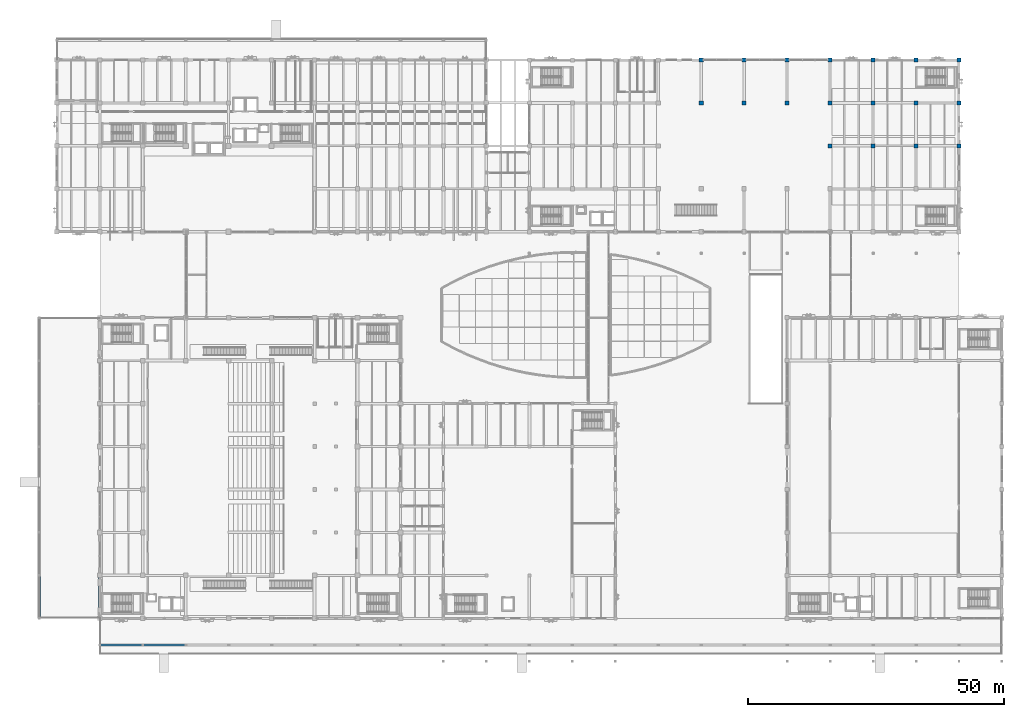
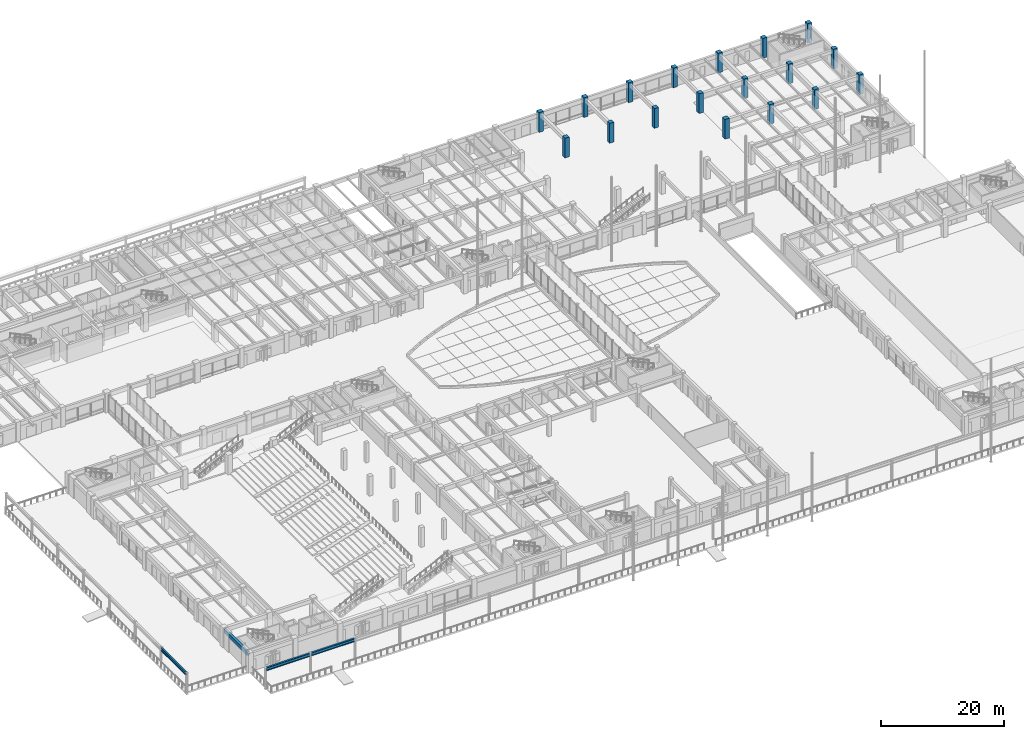
# One storey, part 22 of 135: 18 columns, 4 beams.
"""IFC4 building model written with IfcOpenShell, lengths in metres."""

from ifc_helpers import new_model, si_unit, direction, frame, origin, origin_2d, place, context, subcontext, project, spatial, rectangle, i_section, extrude, material, material_profile, profile_set, type_object, element, save


model = new_model("IFC4")

# Units and contexts
model_context = context("Model", 3, precision=1e-05, world=origin(), true_north=direction((0.0, 1.0)))
body_context = subcontext(model_context, "Body", "Model", "MODEL_VIEW")
ifc_project = project(units=[si_unit("LENGTHUNIT", "METRE"), si_unit("AREAUNIT", "SQUARE_METRE"), si_unit("VOLUMEUNIT", "CUBIC_METRE"), si_unit("PLANEANGLEUNIT", "RADIAN"), si_unit("MASSUNIT", "GRAM", prefix="KILO")], contexts=[model_context])

# Site, building, storey
site_placement = place(None, origin())
site = spatial("IfcSite", under=ifc_project, at=site_placement, CompositionType="ELEMENT")
building_placement = place(site_placement, origin())
building = spatial("IfcBuilding", under=site, at=building_placement, Name="Cumbredor Promenade Congress Hotel", CompositionType="ELEMENT")
storey_placement = place(building_placement, origin())
storey = spatial("IfcBuildingStorey", under=building, at=storey_placement, Name="L00", CompositionType="ELEMENT", Elevation=0.0)

# Columns
ifc_material_1 = material(Name="Concrete C50/60", Category="concrete")
ifc_material_profile_1 = material_profile(ifc_material_1, rectangle(XDim=0.800048828125, YDim=0.800048828125, at=origin_2d()), Name="RC 800x800")
ifc_profile_set_1 = profile_set([ifc_material_profile_1], Name="Concrete C50/60")
column_type = type_object("IfcColumnType", Name="COL-RC-800", PredefinedType="COLUMN", material=ifc_profile_set_1)
for number, where, z_axis, x_axis, name in (
    (1, (126.0, 109.199951171875, 0.0), (0.0, 0.0, 1.0), (1.0, 0.0, 0.0), "L00 Structural Column 147"),
    (2, (126.0, 117.60009765625, 0.0), (0.0, 0.0, 1.0), (1.0, 0.0, 0.0), "L00 Structural Column 148"),
    (3, (134.39990234375, 109.199951171875, 0.0), (0.0, 0.0, 1.0), (1.0, 0.0, 0.0), "L00 Structural Column 151"),
    (4, (134.39990234375, 117.60009765625, 0.0), (0.0, 0.0, 1.0), (1.0, 0.0, 0.0), "L00 Structural Column 152"),
    (5, (142.800048828125, 109.199951171875, 0.0), (0.0, 0.0, 1.0), (1.0, 0.0, 0.0), "L00 Structural Column 163"),
    (6, (142.800048828125, 117.60009765625, 0.0), (0.0, 0.0, 1.0), (1.0, 0.0, 0.0), "L00 Structural Column 164"),
    (7, (151.199951171875, 100.800048828125, 0.0), (0.0, 0.0, 1.0), (1.0, 0.0, 0.0), "L00 Structural Column 171"),
    (8, (151.199951171875, 109.199951171875, 0.0), (0.0, 0.0, 1.0), (1.0, 0.0, 0.0), "L00 Structural Column 172"),
    (9, (151.199951171875, 117.60009765625, 0.0), (0.0, 0.0, 1.0), (1.0, 0.0, 0.0), "L00 Structural Column 173"),
    (10, (159.60009765625, 100.800048828125, 0.0), (0.0, 0.0, 1.0), (1.0, 0.0, 0.0), "L00 Structural Column 180"),
    (11, (159.60009765625, 109.199951171875, 0.0), (0.0, 0.0, 1.0), (1.0, 0.0, 0.0), "L00 Structural Column 181"),
    (12, (159.60009765625, 117.60009765625, 0.0), (0.0, 0.0, 1.0), (1.0, 0.0, 0.0), "L00 Structural Column 182"),
    (13, (168.0, 100.800048828125, 0.0), (0.0, 0.0, 1.0), (1.0, 0.0, 0.0), "L00 Structural Column 189"),
    (14, (168.0, 109.199951171875, 0.0), (0.0, 0.0, 1.0), (1.0, 0.0, 0.0), "L00 Structural Column 190"),
    (15, (168.0, 117.60009765625, 0.0), (0.0, 0.0, 1.0), (1.0, 0.0, 0.0), "L00 Structural Column 191"),
    (16, (176.39990234375, 100.800048828125, 0.0), (0.0, 0.0, 1.0), (1.0, 0.0, 0.0), "L00 Structural Column 198"),
    (17, (176.39990234375, 109.199951171875, 0.0), (0.0, 0.0, 1.0), (1.0, 0.0, 0.0), "L00 Structural Column 199"),
    (18, (176.39990234375, 117.60009765625, 0.0), (0.0, 0.0, 1.0), (1.0, 0.0, 0.0), "L00 Structural Column 200"),
):
    element("IfcColumn", number, at=place(storey_placement, frame(where, z_axis=z_axis, x_axis=x_axis)), inside=storey, type_object=column_type, Name=name, PredefinedType="COLUMN", context=body_context, shape_type="SweptSolid", body=[
        extrude(rectangle(XDim=0.800048828125, YDim=0.800048828125, at=origin_2d()), origin(), (0.0, 0.0, 1.0), 3.919921875),
    ])

# Beams
ifc_material_2 = material(Name="Concrete C40/50", Category="concrete")
ifc_material_profile_2 = material_profile(ifc_material_2, rectangle(XDim=0.449951171875, YDim=0.75, at=origin_2d()), Name="RC BEAM 450x750")
ifc_profile_set_2 = profile_set([ifc_material_profile_2], Name="Concrete C40/50")
beam_type_1 = type_object("IfcBeamType", Name="BM-RC-450x750", PredefinedType="BEAM", material=ifc_profile_set_2)
beam_1_placement = place(storey_placement, frame((8.39990234375, 8.85009765625, 3.264892578125), z_axis=(0.0, 1.0, 0.0), x_axis=(-1.0, 0.0, 0.0)))
element("IfcBeam", 19, at=beam_1_placement, inside=storey, type_object=beam_type_1, Name="L01 Y-Grid Beam 011", PredefinedType="BEAM", context=body_context, shape_type="SweptSolid", body=[
    extrude(rectangle(XDim=0.449951171875, YDim=0.75, at=origin_2d()), origin(), (0.0, 0.0, 1.0), 7.5),
])
ifc_material_3 = material(Name="Steel ASTM A992 Grade 50", Category="steel")
ifc_material_profile_3 = material_profile(ifc_material_3, i_section(OverallWidth=0.323974609375, OverallDepth=0.611083984375, WebThickness=0.0126953125, FlangeThickness=0.01904296875, at=origin_2d()), Name="W24X104")
ifc_profile_set_3 = profile_set([ifc_material_profile_3], Name="Steel ASTM A992 Grade 50")
beam_type_2 = type_object("IfcBeamType", Name="BM-W24X104", PredefinedType="BEAM", material=ifc_profile_set_3)
beam_2_placement = place(storey_placement, frame((-3.39990234375, 8.580078125, 3.60009765625), z_axis=(0.0, 1.0, 0.0), x_axis=(-1.0, 0.0, 0.0)))
element("IfcBeam", 20, at=beam_2_placement, inside=storey, type_object=beam_type_2, Name="West Promenade Canopy Edge Beam 01", PredefinedType="BEAM", context=body_context, shape_type="SweptSolid", body=[
    extrude(i_section(OverallWidth=0.323974609375, OverallDepth=0.611083984375, WebThickness=0.0126953125, FlangeThickness=0.01904296875, at=origin_2d()), origin(), (0.0, 0.0, 1.0), 8.079833984375),
])
beam_3_placement = place(storey_placement, frame((8.5400390625, 3.199951171875, 3.60009765625), z_axis=(1.0, 0.0, 0.0), x_axis=(0.0, 1.0, 0.0)))
element("IfcBeam", 21, at=beam_3_placement, inside=storey, type_object=beam_type_2, Name="Riverside Colonnade Edge Beam 01", PredefinedType="BEAM", context=body_context, shape_type="SweptSolid", body=[
    extrude(i_section(OverallWidth=0.323974609375, OverallDepth=0.611083984375, WebThickness=0.0126953125, FlangeThickness=0.01904296875, at=origin_2d()), origin(), (0.0, 0.0, 1.0), 8.119873046875),
])
beam_4_placement = place(storey_placement, frame((16.93994140625, 3.199951171875, 3.60009765625), z_axis=(1.0, 0.0, 0.0), x_axis=(0.0, 1.0, 0.0)))
element("IfcBeam", 22, at=beam_4_placement, inside=storey, type_object=beam_type_2, Name="Riverside Colonnade Edge Beam 02", PredefinedType="BEAM", context=body_context, shape_type="SweptSolid", body=[
    extrude(i_section(OverallWidth=0.323974609375, OverallDepth=0.611083984375, WebThickness=0.0126953125, FlangeThickness=0.01904296875, at=origin_2d()), origin(), (0.0, 0.0, 1.0), 8.1201171875),
])

save(model, "model.ifc")
